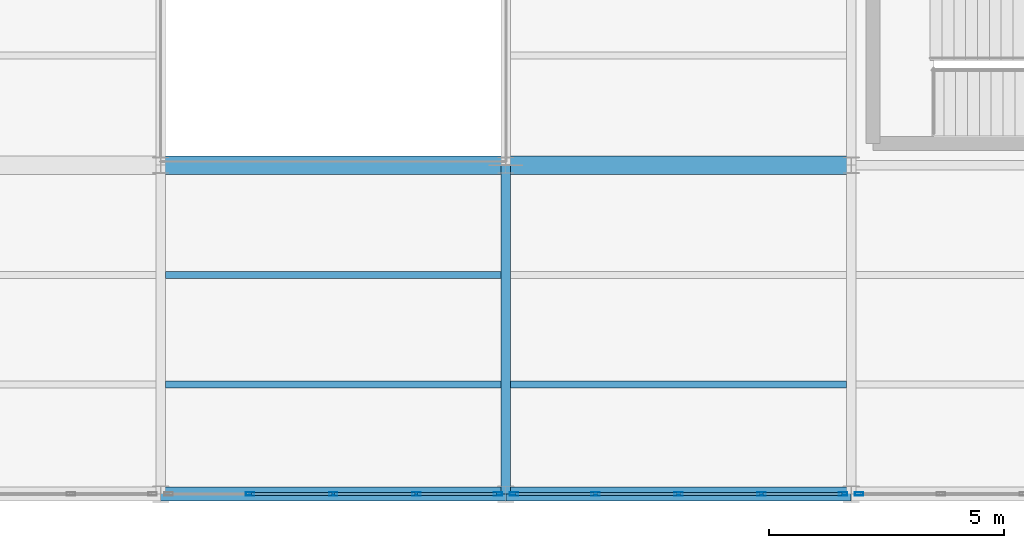
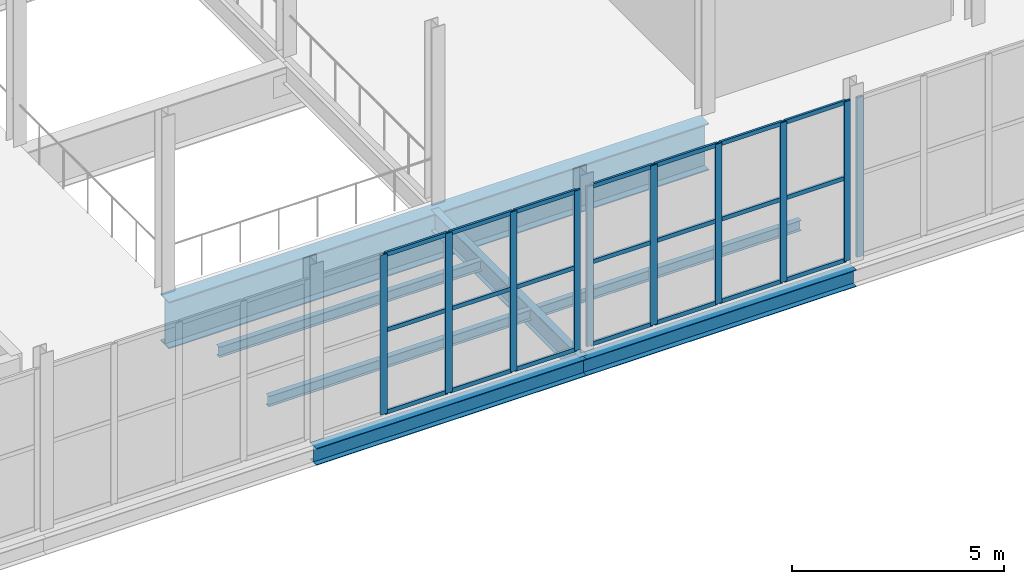
# One storey, part 36 of 218: 31 members, 7 beams, 3 elements without a shape of their own.
"""IFC4 building model written with IfcOpenShell, lengths in metres."""

from ifc_helpers import new_model, si_unit, direction, frame, origin, origin_2d, place, context, subcontext, project, spatial, hollow_rectangle, i_section, extrude, material, material_profile, profile_set, type_object, element, aggregate, save


model = new_model("IFC4")

# Units and contexts
model_context = context("Model", 3, precision=1e-05, world=origin(), true_north=direction((0.0, 1.0)))
body_context = subcontext(model_context, "Body", "Model", "MODEL_VIEW")
ifc_project = project(units=[si_unit("LENGTHUNIT", "METRE"), si_unit("AREAUNIT", "SQUARE_METRE"), si_unit("VOLUMEUNIT", "CUBIC_METRE"), si_unit("PLANEANGLEUNIT", "RADIAN"), si_unit("MASSUNIT", "GRAM", prefix="KILO")], contexts=[model_context])

# Site, building, storey
site_placement = place(None, origin())
site = spatial("IfcSite", under=ifc_project, at=site_placement, CompositionType="ELEMENT")
building_placement = place(site_placement, origin())
building = spatial("IfcBuilding", under=site, at=building_placement, Name="Kazenagashi Tramway Depot", CompositionType="ELEMENT")
storey_placement = place(building_placement, frame((0.0, 0.0, 6.0)))
storey = spatial("IfcBuildingStorey", under=building, at=storey_placement, Name="L02", CompositionType="ELEMENT", Elevation=6.0)

# Beams
ifc_material_1 = material(Name="Steel SN490B", Category="steel")
ifc_material_profile_1 = material_profile(ifc_material_1, i_section(OverallWidth=0.2, OverallDepth=0.6, WebThickness=0.011, FlangeThickness=0.017, at=origin_2d()), Name="H-600x200x11x17")
ifc_profile_set_1 = profile_set([ifc_material_profile_1], Name="Steel SN490B")
beam_type_1 = type_object("IfcBeamType", Name="G-03", PredefinedType="BEAM", material=ifc_profile_set_1)
beam_1_placement = place(storey_placement, frame((22.05, 0.0, -0.55), z_axis=(0.0, 1.0, 0.0), x_axis=(-1.0, 0.0, 0.0)))
element("IfcBeam", 1, at=beam_1_placement, inside=storey, type_object=beam_type_1, Name="Beam G-03 BM-0130", PredefinedType="BEAM", context=body_context, shape_type="SweptSolid", body=[
    extrude(i_section(OverallWidth=0.2, OverallDepth=0.6, WebThickness=0.011, FlangeThickness=0.017, at=origin_2d()), origin(), (0.0, 0.0, 1.0), 7.0),
])
ifc_material_2 = material(Name="Steel SN400B", Category="steel")
ifc_material_profile_2 = material_profile(ifc_material_2, i_section(OverallWidth=0.15, OverallDepth=0.3, WebThickness=0.0065, FlangeThickness=0.009, at=origin_2d()), Name="H-300x150x6.5x9")
ifc_profile_set_2 = profile_set([ifc_material_profile_2], Name="Steel SN400B")
beam_type_2 = type_object("IfcBeamType", Name="J-02", PredefinedType="JOIST", material=ifc_profile_set_2)
for number, where, z_axis, x_axis, name in (
    (2, (14.8, 2.333, -0.4), (1.0, 0.0, 0.0), (0.0, 1.0, 0.0), "Beam J-02 BM-0108"),
    (3, (14.8, 4.667, -0.4), (1.0, 0.0, 0.0), (0.0, 1.0, 0.0), "Beam J-02 BM-0109"),
    (4, (22.15, 2.333, -0.4), (1.0, 0.0, 0.0), (0.0, 1.0, 0.0), "Beam J-02 BM-0131"),
):
    element("IfcBeam", number, at=place(storey_placement, frame(where, z_axis=z_axis, x_axis=x_axis)), inside=storey, type_object=beam_type_2, Name=name, PredefinedType="JOIST", context=body_context, shape_type="SweptSolid", body=[
        extrude(i_section(OverallWidth=0.15, OverallDepth=0.3, WebThickness=0.0065, FlangeThickness=0.009, at=origin_2d()), origin(), (0.0, 0.0, 1.0), 7.15),
    ])

# Curtain wall, members
ifc_material_3 = material(Name="Anodised Aluminium and Low-E Glazing", Category="aluminium")
curtain_wall_type = type_object("IfcCurtainWallType", Name="CW-25", PredefinedType="USERDEFINED", material=ifc_material_3)
curtain_wall_1_placement = place(storey_placement, origin())
curtain_wall_1 = element("IfcCurtainWall", 5, at=curtain_wall_1_placement, inside=storey, type_object=curtain_wall_type, Name="Industrial Glazed Screen CW-25 CW-0138", ObjectType="GLAZED SCREEN", PredefinedType="USERDEFINED")
ifc_material_4 = material(Name="Anodised Aluminium", Category="aluminium")
ifc_material_profile_3 = material_profile(ifc_material_4, hollow_rectangle(XDim=0.07, YDim=0.18, WallThickness=0.005, at=origin_2d()), Name="RHS-180x70x5")
ifc_profile_set_3 = profile_set([ifc_material_profile_3], Name="Anodised Aluminium")
member_type_1 = type_object("IfcMemberType", Name="ML-02", PredefinedType="MULLION", material=ifc_profile_set_3)
member_1_placement = place(storey_placement, frame((16.6075, 0.0, 0.0), z_axis=(0.0, 0.0, 1.0), x_axis=(0.0, 1.0, 0.0)))
member_1 = element("IfcMember", 6, at=member_1_placement, type_object=member_type_1, Name="CW-25 mullion 2", PredefinedType="MULLION", context=body_context, shape_type="SweptSolid", body=[
    extrude(hollow_rectangle(XDim=0.07, YDim=0.18, WallThickness=0.005, at=origin_2d()), origin(), (0.0, 0.0, 1.0), 4.6),
])
member_2_placement = place(storey_placement, frame((18.375, 0.0, 0.0), z_axis=(0.0, 0.0, 1.0), x_axis=(0.0, 1.0, 0.0)))
member_2 = element("IfcMember", 7, at=member_2_placement, type_object=member_type_1, Name="CW-25 mullion 3", PredefinedType="MULLION", context=body_context, shape_type="SweptSolid", body=[
    extrude(hollow_rectangle(XDim=0.07, YDim=0.18, WallThickness=0.005, at=origin_2d()), origin(), (0.0, 0.0, 1.0), 4.6),
])
member_3_placement = place(storey_placement, frame((20.1425, 0.0, 0.0), z_axis=(0.0, 0.0, 1.0), x_axis=(0.0, 1.0, 0.0)))
member_3 = element("IfcMember", 8, at=member_3_placement, type_object=member_type_1, Name="CW-25 mullion 4", PredefinedType="MULLION", context=body_context, shape_type="SweptSolid", body=[
    extrude(hollow_rectangle(XDim=0.07, YDim=0.18, WallThickness=0.005, at=origin_2d()), origin(), (0.0, 0.0, 1.0), 4.6),
])
member_4_placement = place(storey_placement, frame((21.88, 0.0, 0.0), z_axis=(0.0, 0.0, 1.0), x_axis=(0.0, 1.0, 0.0)))
member_4 = element("IfcMember", 9, at=member_4_placement, type_object=member_type_1, Name="CW-25 mullion 5", PredefinedType="MULLION", context=body_context, shape_type="SweptSolid", body=[
    extrude(hollow_rectangle(XDim=0.07, YDim=0.18, WallThickness=0.005, at=origin_2d()), origin(), (0.0, 0.0, 1.0), 4.6),
])

curtain_wall_2_placement = place(storey_placement, origin())
curtain_wall_2 = element("IfcCurtainWall", 10, at=curtain_wall_2_placement, inside=storey, type_object=curtain_wall_type, Name="Industrial Glazed Screen CW-25 CW-0140", ObjectType="GLAZED SCREEN", PredefinedType="USERDEFINED")
member_5_placement = place(storey_placement, frame((22.22, 0.0, 0.0), z_axis=(0.0, 0.0, 1.0), x_axis=(0.0, 1.0, 0.0)))
member_5 = element("IfcMember", 11, at=member_5_placement, type_object=member_type_1, Name="CW-25 mullion 1", PredefinedType="MULLION", context=body_context, shape_type="SweptSolid", body=[
    extrude(hollow_rectangle(XDim=0.07, YDim=0.18, WallThickness=0.005, at=origin_2d()), origin(), (0.0, 0.0, 1.0), 4.6),
])
member_6_placement = place(storey_placement, frame((23.9575, 0.0, 0.0), z_axis=(0.0, 0.0, 1.0), x_axis=(0.0, 1.0, 0.0)))
member_6 = element("IfcMember", 12, at=member_6_placement, type_object=member_type_1, Name="CW-25 mullion 2", PredefinedType="MULLION", context=body_context, shape_type="SweptSolid", body=[
    extrude(hollow_rectangle(XDim=0.07, YDim=0.18, WallThickness=0.005, at=origin_2d()), origin(), (0.0, 0.0, 1.0), 4.6),
])
member_7_placement = place(storey_placement, frame((25.725, 0.0, 0.0), z_axis=(0.0, 0.0, 1.0), x_axis=(0.0, 1.0, 0.0)))
member_7 = element("IfcMember", 13, at=member_7_placement, type_object=member_type_1, Name="CW-25 mullion 3", PredefinedType="MULLION", context=body_context, shape_type="SweptSolid", body=[
    extrude(hollow_rectangle(XDim=0.07, YDim=0.18, WallThickness=0.005, at=origin_2d()), origin(), (0.0, 0.0, 1.0), 4.6),
])
member_8_placement = place(storey_placement, frame((27.4925, 0.0, 0.0), z_axis=(0.0, 0.0, 1.0), x_axis=(0.0, 1.0, 0.0)))
member_8 = element("IfcMember", 14, at=member_8_placement, type_object=member_type_1, Name="CW-25 mullion 4", PredefinedType="MULLION", context=body_context, shape_type="SweptSolid", body=[
    extrude(hollow_rectangle(XDim=0.07, YDim=0.18, WallThickness=0.005, at=origin_2d()), origin(), (0.0, 0.0, 1.0), 4.6),
])
member_9_placement = place(storey_placement, frame((29.23, 0.0, 0.0), z_axis=(0.0, 0.0, 1.0), x_axis=(0.0, 1.0, 0.0)))
member_9 = element("IfcMember", 15, at=member_9_placement, type_object=member_type_1, Name="CW-25 mullion 5", PredefinedType="MULLION", context=body_context, shape_type="SweptSolid", body=[
    extrude(hollow_rectangle(XDim=0.07, YDim=0.18, WallThickness=0.005, at=origin_2d()), origin(), (0.0, 0.0, 1.0), 4.6),
])

# Curtain wall, member
curtain_wall_3_placement = place(storey_placement, origin())
curtain_wall_3 = element("IfcCurtainWall", 16, at=curtain_wall_3_placement, inside=storey, type_object=curtain_wall_type, Name="Industrial Glazed Screen CW-25 CW-0141", ObjectType="GLAZED SCREEN", PredefinedType="USERDEFINED")
member_10_placement = place(storey_placement, frame((29.57, 0.0, 0.0), z_axis=(0.0, 0.0, 1.0), x_axis=(0.0, 1.0, 0.0)))
member_10 = element("IfcMember", 17, at=member_10_placement, type_object=member_type_1, Name="CW-25 mullion 1", PredefinedType="MULLION", context=body_context, shape_type="SweptSolid", body=[
    extrude(hollow_rectangle(XDim=0.07, YDim=0.18, WallThickness=0.005, at=origin_2d()), origin(), (0.0, 0.0, 1.0), 4.6),
])
aggregate(curtain_wall_3, [member_10])

# Beams
ifc_material_profile_4 = material_profile(ifc_material_1, i_section(OverallWidth=0.3, OverallDepth=0.488, WebThickness=0.011, FlangeThickness=0.018, at=origin_2d()), Name="H-488x300x11x18")
ifc_profile_set_4 = profile_set([ifc_material_profile_4], Name="Steel SN490B")
beam_type_3 = type_object("IfcBeamType", Name="SP-02", PredefinedType="SPANDREL", material=ifc_profile_set_4)
for number, where, z_axis, x_axis, name in (
    (18, (14.7, 0.0, -0.494), (1.0, 0.0, 0.0), (0.0, 1.0, 0.0), "Beam SP-02 BM-0009"),
    (19, (22.05, 0.0, -0.494), (1.0, 0.0, 0.0), (0.0, 1.0, 0.0), "Beam SP-02 BM-0010"),
):
    element("IfcBeam", number, at=place(storey_placement, frame(where, z_axis=z_axis, x_axis=x_axis)), inside=storey, type_object=beam_type_3, Name=name, PredefinedType="SPANDREL", context=body_context, shape_type="SweptSolid", body=[
        extrude(i_section(OverallWidth=0.3, OverallDepth=0.488, WebThickness=0.011, FlangeThickness=0.018, at=origin_2d()), origin(), (0.0, 0.0, 1.0), 7.35),
    ])
ifc_material_profile_5 = material_profile(ifc_material_1, i_section(OverallWidth=0.4, OverallDepth=1.35, WebThickness=0.019, FlangeThickness=0.032, at=origin_2d()), Name="BH-1350x400x19x32")
ifc_profile_set_5 = profile_set([ifc_material_profile_5], Name="Steel SN490B")
beam_type_4 = type_object("IfcBeamType", Name="TG-01", PredefinedType="BEAM", material=ifc_profile_set_5)
beam_2_placement = place(storey_placement, frame((14.7, 7.0, -0.925), z_axis=(1.0, 0.0, 0.0), x_axis=(0.0, 1.0, 0.0)))
element("IfcBeam", 20, at=beam_2_placement, inside=storey, type_object=beam_type_4, Name="Transfer Girder TG-01 BM-0002", PredefinedType="BEAM", context=body_context, shape_type="SweptSolid", body=[
    extrude(i_section(OverallWidth=0.4, OverallDepth=1.35, WebThickness=0.019, FlangeThickness=0.032, at=origin_2d()), origin(), (0.0, 0.0, 1.0), 14.7),
])

# Member
ifc_material_profile_6 = material_profile(ifc_material_4, hollow_rectangle(XDim=0.06, YDim=0.12, WallThickness=0.004, at=origin_2d()), Name="RHS-120x60x4")
ifc_profile_set_6 = profile_set([ifc_material_profile_6], Name="Anodised Aluminium")
member_type_2 = type_object("IfcMemberType", Name="TR-01", PredefinedType="USERDEFINED", material=ifc_profile_set_6)
member_11_placement = place(storey_placement, frame((16.6375, 0.0, 0.03), z_axis=(1.0, 0.0, 0.0), x_axis=(0.0, 1.0, 0.0)))
member_11 = element("IfcMember", 21, at=member_11_placement, type_object=member_type_2, Name="CW-25 transom 2.1", ObjectType="TRANSOM", PredefinedType="USERDEFINED", context=body_context, shape_type="SweptSolid", body=[
    extrude(hollow_rectangle(XDim=0.06, YDim=0.12, WallThickness=0.004, at=origin_2d()), origin(), (0.0, 0.0, 1.0), 1.7075),
])

member_12_placement = place(storey_placement, frame((16.6375, 0.0, 2.392), z_axis=(1.0, 0.0, 0.0), x_axis=(0.0, 1.0, 0.0)))
member_12 = element("IfcMember", 22, at=member_12_placement, type_object=member_type_2, Name="CW-25 transom 2.2", ObjectType="TRANSOM", PredefinedType="USERDEFINED", context=body_context, shape_type="SweptSolid", body=[
    extrude(hollow_rectangle(XDim=0.06, YDim=0.12, WallThickness=0.004, at=origin_2d()), origin(), (0.0, 0.0, 1.0), 1.7075),
])

member_13_placement = place(storey_placement, frame((16.6375, 0.0, 4.57), z_axis=(1.0, 0.0, 0.0), x_axis=(0.0, 1.0, 0.0)))
member_13 = element("IfcMember", 23, at=member_13_placement, type_object=member_type_2, Name="CW-25 transom 2.3", ObjectType="TRANSOM", PredefinedType="USERDEFINED", context=body_context, shape_type="SweptSolid", body=[
    extrude(hollow_rectangle(XDim=0.06, YDim=0.12, WallThickness=0.004, at=origin_2d()), origin(), (0.0, 0.0, 1.0), 1.7075),
])

member_14_placement = place(storey_placement, frame((18.405, 0.0, 0.03), z_axis=(1.0, 0.0, 0.0), x_axis=(0.0, 1.0, 0.0)))
member_14 = element("IfcMember", 24, at=member_14_placement, type_object=member_type_2, Name="CW-25 transom 3.1", ObjectType="TRANSOM", PredefinedType="USERDEFINED", context=body_context, shape_type="SweptSolid", body=[
    extrude(hollow_rectangle(XDim=0.06, YDim=0.12, WallThickness=0.004, at=origin_2d()), origin(), (0.0, 0.0, 1.0), 1.7075),
])

member_15_placement = place(storey_placement, frame((18.405, 0.0, 2.392), z_axis=(1.0, 0.0, 0.0), x_axis=(0.0, 1.0, 0.0)))
member_15 = element("IfcMember", 25, at=member_15_placement, type_object=member_type_2, Name="CW-25 transom 3.2", ObjectType="TRANSOM", PredefinedType="USERDEFINED", context=body_context, shape_type="SweptSolid", body=[
    extrude(hollow_rectangle(XDim=0.06, YDim=0.12, WallThickness=0.004, at=origin_2d()), origin(), (0.0, 0.0, 1.0), 1.7075),
])

member_16_placement = place(storey_placement, frame((18.405, 0.0, 4.57), z_axis=(1.0, 0.0, 0.0), x_axis=(0.0, 1.0, 0.0)))
member_16 = element("IfcMember", 26, at=member_16_placement, type_object=member_type_2, Name="CW-25 transom 3.3", ObjectType="TRANSOM", PredefinedType="USERDEFINED", context=body_context, shape_type="SweptSolid", body=[
    extrude(hollow_rectangle(XDim=0.06, YDim=0.12, WallThickness=0.004, at=origin_2d()), origin(), (0.0, 0.0, 1.0), 1.7075),
])

member_17_placement = place(storey_placement, frame((20.1725, 0.0, 0.03), z_axis=(1.0, 0.0, 0.0), x_axis=(0.0, 1.0, 0.0)))
member_17 = element("IfcMember", 27, at=member_17_placement, type_object=member_type_2, Name="CW-25 transom 4.1", ObjectType="TRANSOM", PredefinedType="USERDEFINED", context=body_context, shape_type="SweptSolid", body=[
    extrude(hollow_rectangle(XDim=0.06, YDim=0.12, WallThickness=0.004, at=origin_2d()), origin(), (0.0, 0.0, 1.0), 1.6775),
])

member_18_placement = place(storey_placement, frame((20.1725, 0.0, 2.392), z_axis=(1.0, 0.0, 0.0), x_axis=(0.0, 1.0, 0.0)))
member_18 = element("IfcMember", 28, at=member_18_placement, type_object=member_type_2, Name="CW-25 transom 4.2", ObjectType="TRANSOM", PredefinedType="USERDEFINED", context=body_context, shape_type="SweptSolid", body=[
    extrude(hollow_rectangle(XDim=0.06, YDim=0.12, WallThickness=0.004, at=origin_2d()), origin(), (0.0, 0.0, 1.0), 1.6775),
])

member_19_placement = place(storey_placement, frame((20.1725, 0.0, 4.57), z_axis=(1.0, 0.0, 0.0), x_axis=(0.0, 1.0, 0.0)))
member_19 = element("IfcMember", 29, at=member_19_placement, type_object=member_type_2, Name="CW-25 transom 4.3", ObjectType="TRANSOM", PredefinedType="USERDEFINED", context=body_context, shape_type="SweptSolid", body=[
    extrude(hollow_rectangle(XDim=0.06, YDim=0.12, WallThickness=0.004, at=origin_2d()), origin(), (0.0, 0.0, 1.0), 1.6775),
])

aggregate(curtain_wall_1, [member_1, member_2, member_3, member_4, member_11, member_12, member_13, member_14, member_15, member_16, member_17, member_18, member_19])

member_20_placement = place(storey_placement, frame((22.25, 0.0, 0.03), z_axis=(1.0, 0.0, 0.0), x_axis=(0.0, 1.0, 0.0)))
member_20 = element("IfcMember", 30, at=member_20_placement, type_object=member_type_2, Name="CW-25 transom 1.1", ObjectType="TRANSOM", PredefinedType="USERDEFINED", context=body_context, shape_type="SweptSolid", body=[
    extrude(hollow_rectangle(XDim=0.06, YDim=0.12, WallThickness=0.004, at=origin_2d()), origin(), (0.0, 0.0, 1.0), 1.6775),
])

member_21_placement = place(storey_placement, frame((22.25, 0.0, 2.392), z_axis=(1.0, 0.0, 0.0), x_axis=(0.0, 1.0, 0.0)))
member_21 = element("IfcMember", 31, at=member_21_placement, type_object=member_type_2, Name="CW-25 transom 1.2", ObjectType="TRANSOM", PredefinedType="USERDEFINED", context=body_context, shape_type="SweptSolid", body=[
    extrude(hollow_rectangle(XDim=0.06, YDim=0.12, WallThickness=0.004, at=origin_2d()), origin(), (0.0, 0.0, 1.0), 1.6775),
])

member_22_placement = place(storey_placement, frame((22.25, 0.0, 4.57), z_axis=(1.0, 0.0, 0.0), x_axis=(0.0, 1.0, 0.0)))
member_22 = element("IfcMember", 32, at=member_22_placement, type_object=member_type_2, Name="CW-25 transom 1.3", ObjectType="TRANSOM", PredefinedType="USERDEFINED", context=body_context, shape_type="SweptSolid", body=[
    extrude(hollow_rectangle(XDim=0.06, YDim=0.12, WallThickness=0.004, at=origin_2d()), origin(), (0.0, 0.0, 1.0), 1.6775),
])

member_23_placement = place(storey_placement, frame((23.9875, 0.0, 0.03), z_axis=(1.0, 0.0, 0.0), x_axis=(0.0, 1.0, 0.0)))
member_23 = element("IfcMember", 33, at=member_23_placement, type_object=member_type_2, Name="CW-25 transom 2.1", ObjectType="TRANSOM", PredefinedType="USERDEFINED", context=body_context, shape_type="SweptSolid", body=[
    extrude(hollow_rectangle(XDim=0.06, YDim=0.12, WallThickness=0.004, at=origin_2d()), origin(), (0.0, 0.0, 1.0), 1.7075),
])

member_24_placement = place(storey_placement, frame((23.9875, 0.0, 2.392), z_axis=(1.0, 0.0, 0.0), x_axis=(0.0, 1.0, 0.0)))
member_24 = element("IfcMember", 34, at=member_24_placement, type_object=member_type_2, Name="CW-25 transom 2.2", ObjectType="TRANSOM", PredefinedType="USERDEFINED", context=body_context, shape_type="SweptSolid", body=[
    extrude(hollow_rectangle(XDim=0.06, YDim=0.12, WallThickness=0.004, at=origin_2d()), origin(), (0.0, 0.0, 1.0), 1.7075),
])

member_25_placement = place(storey_placement, frame((23.9875, 0.0, 4.57), z_axis=(1.0, 0.0, 0.0), x_axis=(0.0, 1.0, 0.0)))
member_25 = element("IfcMember", 35, at=member_25_placement, type_object=member_type_2, Name="CW-25 transom 2.3", ObjectType="TRANSOM", PredefinedType="USERDEFINED", context=body_context, shape_type="SweptSolid", body=[
    extrude(hollow_rectangle(XDim=0.06, YDim=0.12, WallThickness=0.004, at=origin_2d()), origin(), (0.0, 0.0, 1.0), 1.7075),
])

member_26_placement = place(storey_placement, frame((25.755, 0.0, 0.03), z_axis=(1.0, 0.0, 0.0), x_axis=(0.0, 1.0, 0.0)))
member_26 = element("IfcMember", 36, at=member_26_placement, type_object=member_type_2, Name="CW-25 transom 3.1", ObjectType="TRANSOM", PredefinedType="USERDEFINED", context=body_context, shape_type="SweptSolid", body=[
    extrude(hollow_rectangle(XDim=0.06, YDim=0.12, WallThickness=0.004, at=origin_2d()), origin(), (0.0, 0.0, 1.0), 1.7075),
])

member_27_placement = place(storey_placement, frame((25.755, 0.0, 2.392), z_axis=(1.0, 0.0, 0.0), x_axis=(0.0, 1.0, 0.0)))
member_27 = element("IfcMember", 37, at=member_27_placement, type_object=member_type_2, Name="CW-25 transom 3.2", ObjectType="TRANSOM", PredefinedType="USERDEFINED", context=body_context, shape_type="SweptSolid", body=[
    extrude(hollow_rectangle(XDim=0.06, YDim=0.12, WallThickness=0.004, at=origin_2d()), origin(), (0.0, 0.0, 1.0), 1.7075),
])

member_28_placement = place(storey_placement, frame((25.755, 0.0, 4.57), z_axis=(1.0, 0.0, 0.0), x_axis=(0.0, 1.0, 0.0)))
member_28 = element("IfcMember", 38, at=member_28_placement, type_object=member_type_2, Name="CW-25 transom 3.3", ObjectType="TRANSOM", PredefinedType="USERDEFINED", context=body_context, shape_type="SweptSolid", body=[
    extrude(hollow_rectangle(XDim=0.06, YDim=0.12, WallThickness=0.004, at=origin_2d()), origin(), (0.0, 0.0, 1.0), 1.7075),
])

member_29_placement = place(storey_placement, frame((27.5225, 0.0, 0.03), z_axis=(1.0, 0.0, 0.0), x_axis=(0.0, 1.0, 0.0)))
member_29 = element("IfcMember", 39, at=member_29_placement, type_object=member_type_2, Name="CW-25 transom 4.1", ObjectType="TRANSOM", PredefinedType="USERDEFINED", context=body_context, shape_type="SweptSolid", body=[
    extrude(hollow_rectangle(XDim=0.06, YDim=0.12, WallThickness=0.004, at=origin_2d()), origin(), (0.0, 0.0, 1.0), 1.6775),
])

member_30_placement = place(storey_placement, frame((27.5225, 0.0, 2.392), z_axis=(1.0, 0.0, 0.0), x_axis=(0.0, 1.0, 0.0)))
member_30 = element("IfcMember", 40, at=member_30_placement, type_object=member_type_2, Name="CW-25 transom 4.2", ObjectType="TRANSOM", PredefinedType="USERDEFINED", context=body_context, shape_type="SweptSolid", body=[
    extrude(hollow_rectangle(XDim=0.06, YDim=0.12, WallThickness=0.004, at=origin_2d()), origin(), (0.0, 0.0, 1.0), 1.6775),
])

member_31_placement = place(storey_placement, frame((27.5225, 0.0, 4.57), z_axis=(1.0, 0.0, 0.0), x_axis=(0.0, 1.0, 0.0)))
member_31 = element("IfcMember", 41, at=member_31_placement, type_object=member_type_2, Name="CW-25 transom 4.3", ObjectType="TRANSOM", PredefinedType="USERDEFINED", context=body_context, shape_type="SweptSolid", body=[
    extrude(hollow_rectangle(XDim=0.06, YDim=0.12, WallThickness=0.004, at=origin_2d()), origin(), (0.0, 0.0, 1.0), 1.6775),
])

aggregate(curtain_wall_2, [member_5, member_6, member_7, member_8, member_9, member_20, member_21, member_22, member_23, member_24, member_25, member_26, member_27, member_28, member_29, member_30, member_31])

save(model, "model.ifc")
